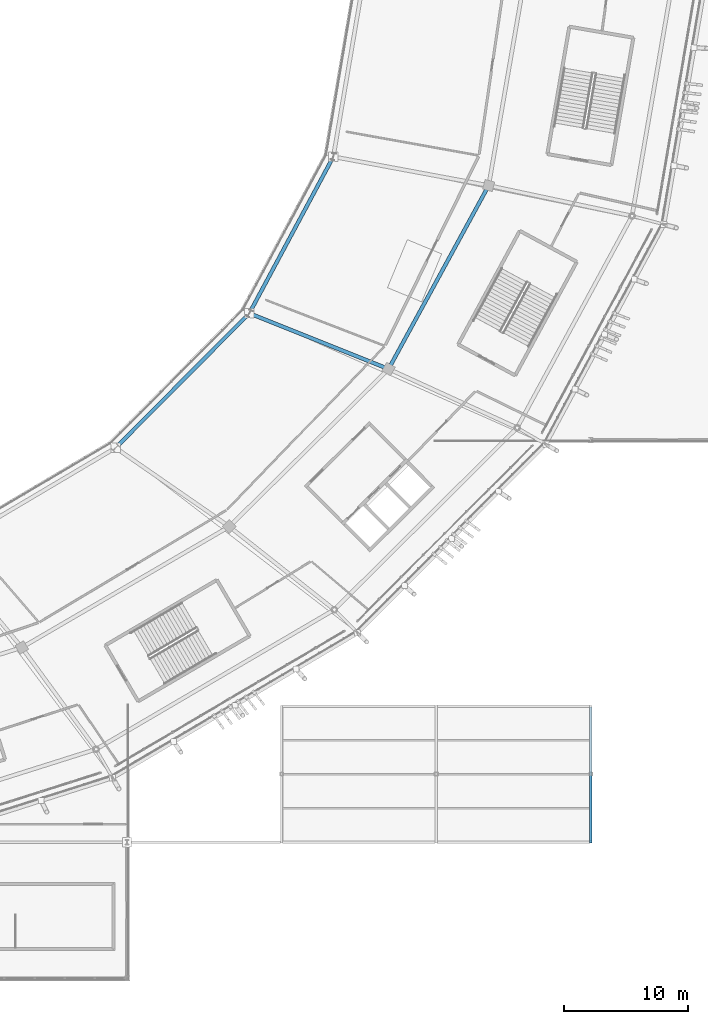
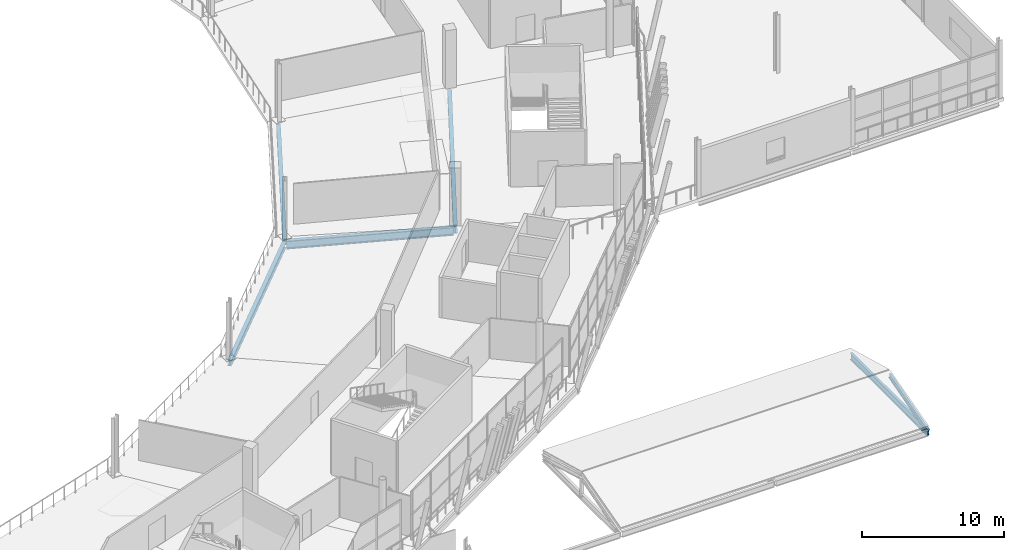
# One storey, part 58 of 179: 5 beams, 1 member.
"""IFC4 building model written with IfcOpenShell, lengths in metres."""

from ifc_helpers import new_model, si_unit, direction, frame, origin, origin_2d, place, context, subcontext, project, spatial, i_section, extrude, material, material_profile, profile_set, type_object, element, save


model = new_model("IFC4")

# Units and contexts
model_context = context("Model", 3, precision=1e-05, world=origin(), true_north=direction((0.0, 1.0)))
body_context = subcontext(model_context, "Body", "Model", "MODEL_VIEW")
ifc_project = project(units=[si_unit("LENGTHUNIT", "METRE"), si_unit("AREAUNIT", "SQUARE_METRE"), si_unit("VOLUMEUNIT", "CUBIC_METRE"), si_unit("PLANEANGLEUNIT", "RADIAN"), si_unit("MASSUNIT", "GRAM", prefix="KILO")], contexts=[model_context])

# Site, building, storey
site_placement = place(None, origin())
site = spatial("IfcSite", under=ifc_project, at=site_placement, CompositionType="ELEMENT")
building_placement = place(site_placement, origin())
building = spatial("IfcBuilding", under=site, at=building_placement, Name="Zlatoyarsky Gate Stadium", CompositionType="ELEMENT")
storey_placement = place(building_placement, frame((0.0, 0.0, 10.60009765625)))
storey = spatial("IfcBuildingStorey", under=building, at=storey_placement, Name="L02", CompositionType="ELEMENT", Elevation=10.60009765625)

# Beam
ifc_material = material(Name="Steel S355", Category="steel")
ifc_material_profile_1 = material_profile(ifc_material, i_section(OverallWidth=0.2099609375, OverallDepth=0.550048828125, WebThickness=0.010986328125, FlangeThickness=0.01708984375, FilletRadius=0.02392578125, at=origin_2d()), Name="IPE 550")
ifc_profile_set_1 = profile_set([ifc_material_profile_1], Name="Steel S355")
beam_type_1 = type_object("IfcBeamType", Name="STEEL FLOOR BEAM IPE 550", PredefinedType="BEAM", material=ifc_profile_set_1)
beam_1_placement = place(storey_placement, frame((197.5, 11.080078125, -0.55517578125), z_axis=(0.0, 1.0, 0.0), x_axis=(-1.0, 0.0, 0.0)))
element("IfcBeam", 1, at=beam_1_placement, inside=storey, type_object=beam_type_1, Name="Beam B-IPE550 BM-L02-WGY-17-B", PredefinedType="BEAM", context=body_context, shape_type="SweptSolid", body=[
    extrude(i_section(OverallWidth=0.2099609375, OverallDepth=0.550048828125, WebThickness=0.010986328125, FlangeThickness=0.01708984375, FilletRadius=0.02392578125, at=origin_2d()), origin(), (0.0, 0.0, 1.0), 10.83984375),
])

# Member
ifc_material_profile_2 = material_profile(ifc_material, i_section(OverallWidth=0.179931640625, OverallDepth=0.39990234375, WebThickness=0.008544921875, FlangeThickness=0.013427734375, FilletRadius=0.02099609375, at=origin_2d()), Name="IPE 400")
ifc_profile_set_2 = profile_set([ifc_material_profile_2], Name="Steel S355")
member_type = type_object("IfcMemberType", Name="STEEL PAVILION ROOF RAFTER IPE 400", PredefinedType="RAFTER", material=ifc_profile_set_2)
member_placement = place(storey_placement, frame((197.5, 11.0, -0.5), z_axis=(0.0, 0.961598006641, 0.274461789005), x_axis=(-1.0, 0.0, 0.0)))
element("IfcMember", 2, at=member_placement, inside=storey, type_object=member_type, Name="V6_SE roof rafter 3A", PredefinedType="RAFTER", context=body_context, shape_type="SweptSolid", body=[
    extrude(i_section(OverallWidth=0.179931640625, OverallDepth=0.39990234375, WebThickness=0.008544921875, FlangeThickness=0.013427734375, FilletRadius=0.02099609375, at=origin_2d()), origin(), (0.0, 0.0, 1.0), 5.7197265625),
])

# Beams
ifc_material_profile_3 = material_profile(ifc_material, i_section(OverallWidth=0.300048828125, OverallDepth=0.5, WebThickness=0.014404296875, FlangeThickness=0.028076171875, FilletRadius=0.027099609375, at=origin_2d()), Name="HEB 500")
ifc_profile_set_3 = profile_set([ifc_material_profile_3], Name="Steel S355")
beam_type_2 = type_object("IfcBeamType", Name="STEEL PRIMARY GIRDER HEB 500", PredefinedType="BEAM", material=ifc_profile_set_3)
beam_2_placement = place(storey_placement, frame((159.16796875, 42.9619140625, -0.530029296875), z_axis=(0.704927331607, 0.709279533861, 0.0), x_axis=(-0.709279533861, 0.704927331607, 0.0)))
element("IfcBeam", 3, at=beam_2_placement, inside=storey, type_object=beam_type_2, Name="Beam G-HEB500 BM-L02-CRA-21", PredefinedType="BEAM", context=body_context, shape_type="SweptSolid", body=[
    extrude(i_section(OverallWidth=0.300048828125, OverallDepth=0.5, WebThickness=0.014404296875, FlangeThickness=0.028076171875, FilletRadius=0.027099609375, at=origin_2d()), origin(), (0.0, 0.0, 1.0), 15.08984375),
])
beam_3_placement = place(storey_placement, frame((169.9462890625, 53.855712890625, -0.530029296875), z_axis=(0.472766984781, 0.881187481812, 0.0), x_axis=(-0.881187481812, 0.472766984781, 0.0)))
element("IfcBeam", 4, at=beam_3_placement, inside=storey, type_object=beam_type_2, Name="Beam G-HEB500 BM-L02-CRA-22", PredefinedType="BEAM", context=body_context, shape_type="SweptSolid", body=[
    extrude(i_section(OverallWidth=0.300048828125, OverallDepth=0.5, WebThickness=0.014404296875, FlangeThickness=0.028076171875, FilletRadius=0.027099609375, at=origin_2d()), origin(), (0.0, 0.0, 1.0), 14.12939453125),
])
ifc_material_profile_4 = material_profile(ifc_material, i_section(OverallWidth=0.300048828125, OverallDepth=0.699951171875, WebThickness=0.01708984375, FlangeThickness=0.031982421875, FilletRadius=0.027099609375, at=origin_2d()), Name="HEB 700")
ifc_profile_set_4 = profile_set([ifc_material_profile_4], Name="Steel S355")
beam_type_3 = type_object("IfcBeamType", Name="STEEL PRIMARY GIRDER HEB 700", PredefinedType="BEAM", material=ifc_profile_set_4)
beam_4_placement = place(storey_placement, frame((170.001220703125, 53.70556640625, -0.630126953125), z_axis=(0.928564503985, -0.371171068295, 0.0), x_axis=(0.371171068295, 0.928564503985, 0.0)))
element("IfcBeam", 5, at=beam_4_placement, inside=storey, type_object=beam_type_3, Name="Beam G-HEB700 BM-L02-RAB-22", PredefinedType="BEAM", context=body_context, shape_type="SweptSolid", body=[
    extrude(i_section(OverallWidth=0.300048828125, OverallDepth=0.699951171875, WebThickness=0.01708984375, FlangeThickness=0.031982421875, FilletRadius=0.027099609375, at=origin_2d()), origin(), (0.0, 0.0, 1.0), 11.88427734375),
])
beam_5_placement = place(storey_placement, frame((181.20556640625, 49.355224609375, -0.630126953125), z_axis=(0.478915800408, 0.877860840976, 0.0), x_axis=(-0.877860840976, 0.478915800408, 0.0)))
element("IfcBeam", 6, at=beam_5_placement, inside=storey, type_object=beam_type_3, Name="Beam G-HEB700 BM-L02-CRB-22", PredefinedType="BEAM", context=body_context, shape_type="SweptSolid", body=[
    extrude(i_section(OverallWidth=0.300048828125, OverallDepth=0.699951171875, WebThickness=0.01708984375, FlangeThickness=0.031982421875, FilletRadius=0.027099609375, at=origin_2d()), origin(), (0.0, 0.0, 1.0), 16.656494140625),
])

save(model, "model.ifc")
